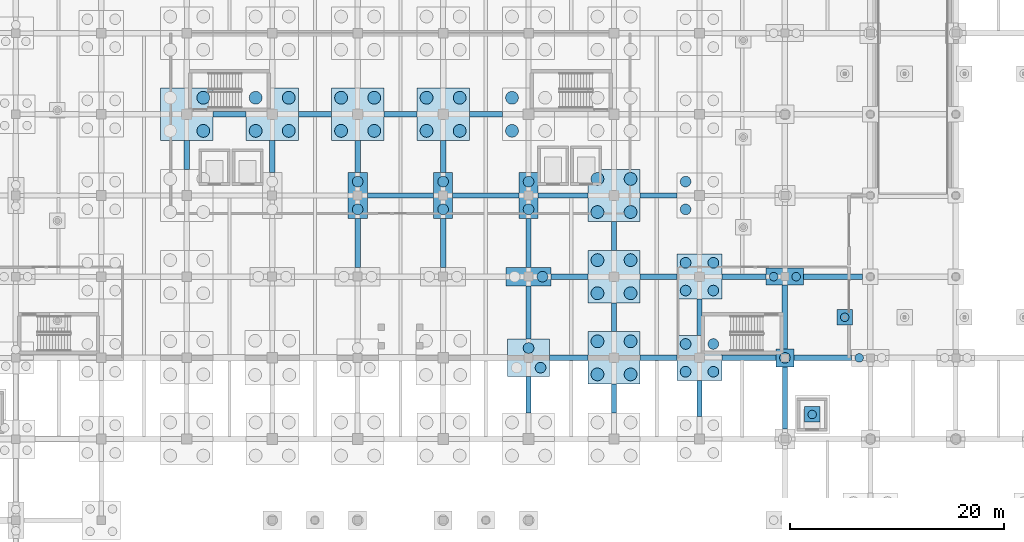
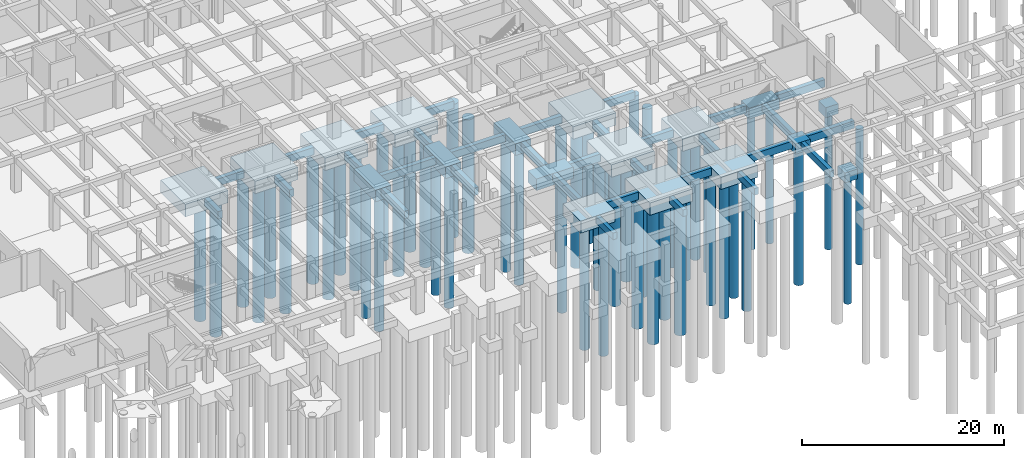
# One storey, part 6 of 49: 53 piles, 50 footings.
"""IFC4 building model written with IfcOpenShell, lengths in metres."""

from ifc_helpers import new_model, si_unit, direction, frame, origin, origin_2d, place, context, subcontext, project, spatial, rectangle, circle, extrude, material, layer, layer_set, material_profile, profile_set, type_object, element, save


model = new_model("IFC4")

# Units and contexts
model_context = context("Model", 3, precision=1e-05, world=origin(), true_north=direction((0.0, 1.0)))
body_context = subcontext(model_context, "Body", "Model", "MODEL_VIEW")
ifc_project = project(units=[si_unit("LENGTHUNIT", "METRE"), si_unit("AREAUNIT", "SQUARE_METRE"), si_unit("VOLUMEUNIT", "CUBIC_METRE"), si_unit("PLANEANGLEUNIT", "RADIAN"), si_unit("MASSUNIT", "GRAM", prefix="KILO")], contexts=[model_context])

# Site, building, storey
site_placement = place(None, origin())
site = spatial("IfcSite", under=ifc_project, at=site_placement, CompositionType="ELEMENT")
building_placement = place(site_placement, origin())
building = spatial("IfcBuilding", under=site, at=building_placement, Name="Zantavel Square City Hall", CompositionType="ELEMENT")
storey_placement = place(building_placement, frame((0.0, 0.0, -4.5)))
storey = spatial("IfcBuildingStorey", under=building, at=storey_placement, Name="B1", CompositionType="ELEMENT", Elevation=-4.5)

# Piles
ifc_material_1 = material(Name="Concrete C35/45", Category="concrete")
ifc_material_profile_1 = material_profile(ifc_material_1, circle(Radius=0.5, at=origin_2d()), Name="PILE D1000")
ifc_profile_set_1 = profile_set([ifc_material_profile_1], Name="Concrete C35/45")
pile_type_1 = type_object("IfcPileType", Name="Bored Pile D1000 Concrete C35/45", PredefinedType="BORED", material=ifc_profile_set_1)
for number, where, z_axis, x_axis, name in (
    (1, (80.0, 51.89990234375, -1.699951171875), (0.0, 0.0, -1.0), (1.0, 0.0, 0.0), "Bored Pile FDN-PL-0800-0532-1"),
    (2, (80.0, 54.5, -1.699951171875), (0.0, 0.0, -1.0), (1.0, 0.0, 0.0), "Bored Pile FDN-PL-0800-0532-2"),
    (3, (88.0, 51.89990234375, -1.699951171875), (0.0, 0.0, -1.0), (1.0, 0.0, 0.0), "Bored Pile FDN-PL-0880-0532-1"),
    (4, (88.0, 54.5, -1.699951171875), (0.0, 0.0, -1.0), (1.0, 0.0, 0.0), "Bored Pile FDN-PL-0880-0532-2"),
):
    element("IfcPile", number, at=place(storey_placement, frame(where, z_axis=z_axis, x_axis=x_axis)), inside=storey, type_object=pile_type_1, Name=name, PredefinedType="BORED", context=body_context, shape_type="SweptSolid", body=[
        extrude(circle(Radius=0.5, at=origin_2d()), origin(), (0.0, 0.0, 1.0), 16.300048828125),
    ])
for number, where, z_axis, x_axis, name in (
    (5, (97.1201171875, 37.080078125, -1.75), (0.0, 0.0, -1.0), (1.0, 0.0, 0.0), "Bored Pile FDN-PL-0960-0380-2"),
    (6, (96.0, 38.919921875, -1.75), (0.0, 0.0, -1.0), (1.0, 0.0, 0.0), "Bored Pile FDN-PL-0960-0380-3"),
):
    element("IfcPile", number, at=place(storey_placement, frame(where, z_axis=z_axis, x_axis=x_axis)), inside=storey, type_object=pile_type_1, Name=name, PredefinedType="BORED", context=body_context, shape_type="SweptSolid", body=[
        extrude(circle(Radius=0.5, at=origin_2d()), origin(), (0.0, 0.0, 1.0), 16.25),
    ])
for number, where, z_axis, x_axis, name in (
    (7, (97.300048828125, 45.60009765625, -1.699951171875), (0.0, 0.0, -1.0), (1.0, 0.0, 0.0), "Bored Pile FDN-PL-0960-0456-2"),
    (8, (96.0, 51.89990234375, -1.699951171875), (0.0, 0.0, -1.0), (1.0, 0.0, 0.0), "Bored Pile FDN-PL-0960-0532-1"),
    (9, (96.0, 54.5, -1.699951171875), (0.0, 0.0, -1.0), (1.0, 0.0, 0.0), "Bored Pile FDN-PL-0960-0532-2"),
):
    element("IfcPile", number, at=place(storey_placement, frame(where, z_axis=z_axis, x_axis=x_axis)), inside=storey, type_object=pile_type_1, Name=name, PredefinedType="BORED", context=body_context, shape_type="SweptSolid", body=[
        extrude(circle(Radius=0.5, at=origin_2d()), origin(), (0.0, 0.0, 1.0), 16.300048828125),
    ])
for number, where, z_axis, x_axis, name in (
    (10, (110.699951171875, 36.699951171875, -1.800048828125), (0.0, 0.0, -1.0), (1.0, 0.0, 0.0), "Bored Pile FDN-PL-1120-0380-1"),
    (11, (113.300048828125, 36.699951171875, -1.800048828125), (0.0, 0.0, -1.0), (1.0, 0.0, 0.0), "Bored Pile FDN-PL-1120-0380-2"),
    (12, (110.699951171875, 39.300048828125, -1.800048828125), (0.0, 0.0, -1.0), (1.0, 0.0, 0.0), "Bored Pile FDN-PL-1120-0380-3"),
    (13, (113.300048828125, 39.300048828125, -1.800048828125), (0.0, 0.0, -1.0), (1.0, 0.0, 0.0), "Bored Pile FDN-PL-1120-0380-4"),
    (14, (110.699951171875, 44.300048828125, -1.800048828125), (0.0, 0.0, -1.0), (1.0, 0.0, 0.0), "Bored Pile FDN-PL-1120-0456-1"),
    (15, (113.300048828125, 44.300048828125, -1.800048828125), (0.0, 0.0, -1.0), (1.0, 0.0, 0.0), "Bored Pile FDN-PL-1120-0456-2"),
    (16, (110.699951171875, 46.89990234375, -1.800048828125), (0.0, 0.0, -1.0), (1.0, 0.0, 0.0), "Bored Pile FDN-PL-1120-0456-3"),
    (17, (113.300048828125, 46.89990234375, -1.800048828125), (0.0, 0.0, -1.0), (1.0, 0.0, 0.0), "Bored Pile FDN-PL-1120-0456-4"),
    (18, (110.699951171875, 51.89990234375, -1.800048828125), (0.0, 0.0, -1.0), (1.0, 0.0, 0.0), "Bored Pile FDN-PL-1120-0532-1"),
    (19, (110.699951171875, 54.5, -1.800048828125), (0.0, 0.0, -1.0), (1.0, 0.0, 0.0), "Bored Pile FDN-PL-1120-0532-3"),
):
    element("IfcPile", number, at=place(storey_placement, frame(where, z_axis=z_axis, x_axis=x_axis)), inside=storey, type_object=pile_type_1, Name=name, PredefinedType="BORED", context=body_context, shape_type="SweptSolid", body=[
        extrude(circle(Radius=0.5, at=origin_2d()), origin(), (0.0, 0.0, 1.0), 16.199951171875),
    ])
pile_1_placement = place(storey_placement, frame((120.0, 38.0, -1.550048828125), z_axis=(0.0, 0.0, -1.0), x_axis=(1.0, 0.0, 0.0)))
element("IfcPile", 20, at=pile_1_placement, inside=storey, type_object=pile_type_1, Name="Bored Pile FDN-PL-1200-0380-1", PredefinedType="BORED", context=body_context, shape_type="SweptSolid", body=[
    extrude(circle(Radius=0.5, at=origin_2d()), origin(), (0.0, 0.0, 1.0), 16.449951171875),
])
ifc_material_profile_2 = material_profile(ifc_material_1, circle(Radius=0.60009765625, at=origin_2d()), Name="PILE D1200")
ifc_profile_set_2 = profile_set([ifc_material_profile_2], Name="Concrete C35/45")
pile_type_2 = type_object("IfcPileType", Name="Bored Pile D1200 Concrete C35/45", PredefinedType="BORED", material=ifc_profile_set_2)
for number, where, z_axis, x_axis, name in (
    (21, (65.550048828125, 59.25, -1.800048828125), (0.0, 0.0, -1.0), (1.0, 0.0, 0.0), "Bored Pile FDN-PL-0640-0608-2"),
    (22, (65.550048828125, 62.35009765625, -1.800048828125), (0.0, 0.0, -1.0), (1.0, 0.0, 0.0), "Bored Pile FDN-PL-0640-0608-4"),
    (23, (70.449951171875, 59.25, -1.800048828125), (0.0, 0.0, -1.0), (1.0, 0.0, 0.0), "Bored Pile FDN-PL-0720-0608-1"),
    (24, (73.550048828125, 59.25, -1.800048828125), (0.0, 0.0, -1.0), (1.0, 0.0, 0.0), "Bored Pile FDN-PL-0720-0608-2"),
    (25, (70.449951171875, 62.35009765625, -1.800048828125), (0.0, 0.0, -1.0), (1.0, 0.0, 0.0), "Bored Pile FDN-PL-0720-0608-3"),
    (26, (73.550048828125, 62.35009765625, -1.800048828125), (0.0, 0.0, -1.0), (1.0, 0.0, 0.0), "Bored Pile FDN-PL-0720-0608-4"),
    (27, (78.449951171875, 59.25, -1.800048828125), (0.0, 0.0, -1.0), (1.0, 0.0, 0.0), "Bored Pile FDN-PL-0800-0608-1"),
    (28, (81.550048828125, 59.25, -1.800048828125), (0.0, 0.0, -1.0), (1.0, 0.0, 0.0), "Bored Pile FDN-PL-0800-0608-2"),
    (29, (78.449951171875, 62.35009765625, -1.800048828125), (0.0, 0.0, -1.0), (1.0, 0.0, 0.0), "Bored Pile FDN-PL-0800-0608-3"),
    (30, (81.550048828125, 62.35009765625, -1.800048828125), (0.0, 0.0, -1.0), (1.0, 0.0, 0.0), "Bored Pile FDN-PL-0800-0608-4"),
    (31, (86.449951171875, 59.25, -1.800048828125), (0.0, 0.0, -1.0), (1.0, 0.0, 0.0), "Bored Pile FDN-PL-0880-0608-1"),
    (32, (89.550048828125, 59.25, -1.800048828125), (0.0, 0.0, -1.0), (1.0, 0.0, 0.0), "Bored Pile FDN-PL-0880-0608-2"),
    (33, (86.449951171875, 62.35009765625, -1.800048828125), (0.0, 0.0, -1.0), (1.0, 0.0, 0.0), "Bored Pile FDN-PL-0880-0608-3"),
    (34, (89.550048828125, 62.35009765625, -1.800048828125), (0.0, 0.0, -1.0), (1.0, 0.0, 0.0), "Bored Pile FDN-PL-0880-0608-4"),
    (35, (94.449951171875, 59.25, -1.800048828125), (0.0, 0.0, -1.0), (1.0, 0.0, 0.0), "Bored Pile FDN-PL-0960-0608-1"),
    (36, (94.449951171875, 62.35009765625, -1.800048828125), (0.0, 0.0, -1.0), (1.0, 0.0, 0.0), "Bored Pile FDN-PL-0960-0608-3"),
    (37, (102.449951171875, 36.449951171875, -1.800048828125), (0.0, 0.0, -1.0), (1.0, 0.0, 0.0), "Bored Pile FDN-PL-1040-0380-1"),
    (38, (105.550048828125, 36.449951171875, -1.800048828125), (0.0, 0.0, -1.0), (1.0, 0.0, 0.0), "Bored Pile FDN-PL-1040-0380-2"),
    (39, (102.449951171875, 39.550048828125, -1.800048828125), (0.0, 0.0, -1.0), (1.0, 0.0, 0.0), "Bored Pile FDN-PL-1040-0380-3"),
    (40, (105.550048828125, 39.550048828125, -1.800048828125), (0.0, 0.0, -1.0), (1.0, 0.0, 0.0), "Bored Pile FDN-PL-1040-0380-4"),
    (41, (102.449951171875, 44.050048828125, -1.800048828125), (0.0, 0.0, -1.0), (1.0, 0.0, 0.0), "Bored Pile FDN-PL-1040-0456-1"),
    (42, (105.550048828125, 44.050048828125, -1.800048828125), (0.0, 0.0, -1.0), (1.0, 0.0, 0.0), "Bored Pile FDN-PL-1040-0456-2"),
    (43, (102.449951171875, 47.14990234375, -1.800048828125), (0.0, 0.0, -1.0), (1.0, 0.0, 0.0), "Bored Pile FDN-PL-1040-0456-3"),
    (44, (105.550048828125, 47.14990234375, -1.800048828125), (0.0, 0.0, -1.0), (1.0, 0.0, 0.0), "Bored Pile FDN-PL-1040-0456-4"),
    (45, (102.449951171875, 51.64990234375, -1.800048828125), (0.0, 0.0, -1.0), (1.0, 0.0, 0.0), "Bored Pile FDN-PL-1040-0532-1"),
    (46, (105.550048828125, 51.64990234375, -1.800048828125), (0.0, 0.0, -1.0), (1.0, 0.0, 0.0), "Bored Pile FDN-PL-1040-0532-2"),
    (47, (102.449951171875, 54.75, -1.800048828125), (0.0, 0.0, -1.0), (1.0, 0.0, 0.0), "Bored Pile FDN-PL-1040-0532-3"),
    (48, (105.550048828125, 54.75, -1.800048828125), (0.0, 0.0, -1.0), (1.0, 0.0, 0.0), "Bored Pile FDN-PL-1040-0532-4"),
):
    element("IfcPile", number, at=place(storey_placement, frame(where, z_axis=z_axis, x_axis=x_axis)), inside=storey, type_object=pile_type_2, Name=name, PredefinedType="BORED", context=body_context, shape_type="SweptSolid", body=[
        extrude(circle(Radius=0.60009765625, at=origin_2d()), origin(), (0.0, 0.0, 1.0), 16.199951171875),
    ])
ifc_material_profile_3 = material_profile(ifc_material_1, circle(Radius=0.39990234375, at=origin_2d()), Name="PILE D800")
ifc_profile_set_3 = profile_set([ifc_material_profile_3], Name="Concrete C35/45")
pile_type_3 = type_object("IfcPileType", Name="Bored Pile D800 Concrete C35/45", PredefinedType="BORED", material=ifc_profile_set_3)
for number, where, z_axis, x_axis, name in (
    (49, (118.949951171875, 45.60009765625, -1.60009765625), (0.0, 0.0, -1.0), (1.0, 0.0, 0.0), "Bored Pile FDN-PL-1200-0456-1"),
    (50, (121.050048828125, 45.60009765625, -1.60009765625), (0.0, 0.0, -1.0), (1.0, 0.0, 0.0), "Bored Pile FDN-PL-1200-0456-2"),
    (51, (126.949951171875, 38.0, -1.60009765625), (0.0, 0.0, -1.0), (1.0, 0.0, 0.0), "Bored Pile FDN-PL-1280-0380-1"),
):
    element("IfcPile", number, at=place(storey_placement, frame(where, z_axis=z_axis, x_axis=x_axis)), inside=storey, type_object=pile_type_3, Name=name, PredefinedType="BORED", context=body_context, shape_type="SweptSolid", body=[
        extrude(circle(Radius=0.39990234375, at=origin_2d()), origin(), (0.0, 0.0, 1.0), 16.39990234375),
    ])
pile_2_placement = place(storey_placement, frame((125.60009765625, 41.800048828125, -1.5), z_axis=(0.0, 0.0, -1.0), x_axis=(1.0, 0.0, 0.0)))
element("IfcPile", 52, at=pile_2_placement, inside=storey, type_object=pile_type_3, Name="Skylight Pier Bored Pile 1-S", PredefinedType="BORED", context=body_context, shape_type="SweptSolid", body=[
    extrude(circle(Radius=0.39990234375, at=origin_2d()), origin(), (0.0, 0.0, 1.0), 16.5),
])
pile_3_placement = place(storey_placement, frame((122.550048828125, 32.699951171875, -2.800048828125), z_axis=(0.0, 0.0, -1.0), x_axis=(1.0, 0.0, 0.0)))
element("IfcPile", 53, at=pile_3_placement, inside=storey, type_object=pile_type_3, Name="Lift LF07 Pit Bored Pile", PredefinedType="BORED", context=body_context, shape_type="SweptSolid", body=[
    extrude(circle(Radius=0.39990234375, at=origin_2d()), origin(), (0.0, 0.0, 1.0), 15.199951171875),
])

# Footings
ifc_material_profile_4 = material_profile(ifc_material_1, rectangle(XDim=0.449951171875, YDim=0.800048828125, at=origin_2d()), Name="RC 450x800")
ifc_profile_set_4 = profile_set([ifc_material_profile_4], Name="Concrete C35/45")
footing_type_1 = type_object("IfcFootingType", Name="Courtyard Grade Tie Beam 450x800 C35/45", PredefinedType="FOOTING_BEAM", material=ifc_profile_set_4)
footing_1_placement = place(storey_placement, frame((96.0, 32.85009765625, -0.800048828125), z_axis=(0.0, 1.0, 0.0), x_axis=(-1.0, 0.0, 0.0)))
element("IfcFooting", 54, at=footing_1_placement, inside=storey, type_object=footing_type_1, Name="Grade Tie Beam FDN-GTBY-0960-0304", PredefinedType="FOOTING_BEAM", context=body_context, shape_type="SweptSolid", body=[
    extrude(rectangle(XDim=0.449951171875, YDim=0.800048828125, at=origin_2d()), origin(), (0.0, 0.0, 1.0), 3.39990234375),
])
footing_2_placement = place(storey_placement, frame((104.0, 32.85009765625, -0.800048828125), z_axis=(0.0, 1.0, 0.0), x_axis=(-1.0, 0.0, 0.0)))
element("IfcFooting", 55, at=footing_2_placement, inside=storey, type_object=footing_type_1, Name="Grade Tie Beam FDN-GTBY-1040-0304", PredefinedType="FOOTING_BEAM", context=body_context, shape_type="SweptSolid", body=[
    extrude(rectangle(XDim=0.449951171875, YDim=0.800048828125, at=origin_2d()), origin(), (0.0, 0.0, 1.0), 2.699951171875),
])
footing_3_placement = place(storey_placement, frame((112.0, 32.5, -0.800048828125), z_axis=(0.0, 1.0, 0.0), x_axis=(-1.0, 0.0, 0.0)))
element("IfcFooting", 56, at=footing_3_placement, inside=storey, type_object=footing_type_1, Name="Grade Tie Beam FDN-GTBY-1120-0304", PredefinedType="FOOTING_BEAM", context=body_context, shape_type="SweptSolid", body=[
    extrude(rectangle(XDim=0.449951171875, YDim=0.800048828125, at=origin_2d()), origin(), (0.0, 0.0, 1.0), 3.39990234375),
])
footing_4_placement = place(storey_placement, frame((120.0, 31.35009765625, -0.800048828125), z_axis=(0.0, 1.0, 0.0), x_axis=(-1.0, 0.0, 0.0)))
element("IfcFooting", 57, at=footing_4_placement, inside=storey, type_object=footing_type_1, Name="Grade Tie Beam FDN-GTBY-1200-0304", PredefinedType="FOOTING_BEAM", context=body_context, shape_type="SweptSolid", body=[
    extrude(rectangle(XDim=0.449951171875, YDim=0.800048828125, at=origin_2d()), origin(), (0.0, 0.0, 1.0), 5.7998046875),
])
ifc_material_profile_5 = material_profile(ifc_material_1, rectangle(XDim=0.5, YDim=0.89990234375, at=origin_2d()), Name="RC 500x900")
ifc_profile_set_5 = profile_set([ifc_material_profile_5], Name="Concrete C35/45")
footing_type_2 = type_object("IfcFootingType", Name="Grade Tie Beam 500x900 Concrete C35/45", PredefinedType="FOOTING_BEAM", material=ifc_profile_set_5)
footing_5_placement = place(storey_placement, frame((64.0, 55.64990234375, -0.85009765625), z_axis=(0.0, 1.0, 0.0), x_axis=(-1.0, 0.0, 0.0)))
element("IfcFooting", 58, at=footing_5_placement, inside=storey, type_object=footing_type_2, Name="Grade Tie Beam FDN-GTBY-0640-0532", PredefinedType="FOOTING_BEAM", context=body_context, shape_type="SweptSolid", body=[
    extrude(rectangle(XDim=0.5, YDim=0.89990234375, at=origin_2d()), origin(), (0.0, 0.0, 1.0), 2.7001953125),
])
footing_6_placement = place(storey_placement, frame((66.449951171875, 60.800048828125, -0.85009765625), z_axis=(1.0, 0.0, 0.0), x_axis=(0.0, 1.0, 0.0)))
element("IfcFooting", 59, at=footing_6_placement, inside=storey, type_object=footing_type_2, Name="Grade Tie Beam FDN-GTBX-0640-0608", PredefinedType="FOOTING_BEAM", context=body_context, shape_type="SweptSolid", body=[
    extrude(rectangle(XDim=0.5, YDim=0.89990234375, at=origin_2d()), origin(), (0.0, 0.0, 1.0), 3.10009765625),
])
footing_7_placement = place(storey_placement, frame((72.0, 55.35009765625, -0.85009765625), z_axis=(0.0, 1.0, 0.0), x_axis=(-1.0, 0.0, 0.0)))
element("IfcFooting", 60, at=footing_7_placement, inside=storey, type_object=footing_type_2, Name="Grade Tie Beam FDN-GTBY-0720-0532", PredefinedType="FOOTING_BEAM", context=body_context, shape_type="SweptSolid", body=[
    extrude(rectangle(XDim=0.5, YDim=0.89990234375, at=origin_2d()), origin(), (0.0, 0.0, 1.0), 3.0),
])
footing_8_placement = place(storey_placement, frame((74.449951171875, 60.800048828125, -0.85009765625), z_axis=(1.0, 0.0, 0.0), x_axis=(0.0, 1.0, 0.0)))
element("IfcFooting", 61, at=footing_8_placement, inside=storey, type_object=footing_type_2, Name="Grade Tie Beam FDN-GTBX-0720-0608", PredefinedType="FOOTING_BEAM", context=body_context, shape_type="SweptSolid", body=[
    extrude(rectangle(XDim=0.5, YDim=0.89990234375, at=origin_2d()), origin(), (0.0, 0.0, 1.0), 3.10009765625),
])
footing_9_placement = place(storey_placement, frame((80.0, 46.449951171875, -0.85009765625), z_axis=(0.0, 1.0, 0.0), x_axis=(-1.0, 0.0, 0.0)))
element("IfcFooting", 62, at=footing_9_placement, inside=storey, type_object=footing_type_2, Name="Grade Tie Beam FDN-GTBY-0800-0456", PredefinedType="FOOTING_BEAM", context=body_context, shape_type="SweptSolid", body=[
    extrude(rectangle(XDim=0.5, YDim=0.89990234375, at=origin_2d()), origin(), (0.0, 0.0, 1.0), 4.60009765625),
])
footing_10_placement = place(storey_placement, frame((80.89990234375, 53.199951171875, -0.85009765625), z_axis=(1.0, 0.0, 0.0), x_axis=(0.0, 1.0, 0.0)))
element("IfcFooting", 63, at=footing_10_placement, inside=storey, type_object=footing_type_2, Name="Grade Tie Beam FDN-GTBX-0800-0532", PredefinedType="FOOTING_BEAM", context=body_context, shape_type="SweptSolid", body=[
    extrude(rectangle(XDim=0.5, YDim=0.89990234375, at=origin_2d()), origin(), (0.0, 0.0, 1.0), 6.2001953125),
])
footing_11_placement = place(storey_placement, frame((80.0, 55.35009765625, -0.85009765625), z_axis=(0.0, 1.0, 0.0), x_axis=(-1.0, 0.0, 0.0)))
element("IfcFooting", 64, at=footing_11_placement, inside=storey, type_object=footing_type_2, Name="Grade Tie Beam FDN-GTBY-0800-0532", PredefinedType="FOOTING_BEAM", context=body_context, shape_type="SweptSolid", body=[
    extrude(rectangle(XDim=0.5, YDim=0.89990234375, at=origin_2d()), origin(), (0.0, 0.0, 1.0), 3.0),
])
footing_12_placement = place(storey_placement, frame((82.449951171875, 60.800048828125, -0.85009765625), z_axis=(1.0, 0.0, 0.0), x_axis=(0.0, 1.0, 0.0)))
element("IfcFooting", 65, at=footing_12_placement, inside=storey, type_object=footing_type_2, Name="Grade Tie Beam FDN-GTBX-0800-0608", PredefinedType="FOOTING_BEAM", context=body_context, shape_type="SweptSolid", body=[
    extrude(rectangle(XDim=0.5, YDim=0.89990234375, at=origin_2d()), origin(), (0.0, 0.0, 1.0), 3.10009765625),
])
footing_13_placement = place(storey_placement, frame((88.0, 46.449951171875, -0.85009765625), z_axis=(0.0, 1.0, 0.0), x_axis=(-1.0, 0.0, 0.0)))
element("IfcFooting", 66, at=footing_13_placement, inside=storey, type_object=footing_type_2, Name="Grade Tie Beam FDN-GTBY-0880-0456", PredefinedType="FOOTING_BEAM", context=body_context, shape_type="SweptSolid", body=[
    extrude(rectangle(XDim=0.5, YDim=0.89990234375, at=origin_2d()), origin(), (0.0, 0.0, 1.0), 4.60009765625),
])
footing_14_placement = place(storey_placement, frame((88.89990234375, 53.199951171875, -0.85009765625), z_axis=(1.0, 0.0, 0.0), x_axis=(0.0, 1.0, 0.0)))
element("IfcFooting", 67, at=footing_14_placement, inside=storey, type_object=footing_type_2, Name="Grade Tie Beam FDN-GTBX-0880-0532", PredefinedType="FOOTING_BEAM", context=body_context, shape_type="SweptSolid", body=[
    extrude(rectangle(XDim=0.5, YDim=0.89990234375, at=origin_2d()), origin(), (0.0, 0.0, 1.0), 6.2001953125),
])
footing_15_placement = place(storey_placement, frame((88.0, 55.35009765625, -0.85009765625), z_axis=(0.0, 1.0, 0.0), x_axis=(-1.0, 0.0, 0.0)))
element("IfcFooting", 68, at=footing_15_placement, inside=storey, type_object=footing_type_2, Name="Grade Tie Beam FDN-GTBY-0880-0532", PredefinedType="FOOTING_BEAM", context=body_context, shape_type="SweptSolid", body=[
    extrude(rectangle(XDim=0.5, YDim=0.89990234375, at=origin_2d()), origin(), (0.0, 0.0, 1.0), 3.0),
])
footing_16_placement = place(storey_placement, frame((90.449951171875, 60.800048828125, -0.85009765625), z_axis=(1.0, 0.0, 0.0), x_axis=(0.0, 1.0, 0.0)))
element("IfcFooting", 69, at=footing_16_placement, inside=storey, type_object=footing_type_2, Name="Grade Tie Beam FDN-GTBX-0880-0608", PredefinedType="FOOTING_BEAM", context=body_context, shape_type="SweptSolid", body=[
    extrude(rectangle(XDim=0.5, YDim=0.89990234375, at=origin_2d()), origin(), (0.0, 0.0, 1.0), 3.10009765625),
])
footing_17_placement = place(storey_placement, frame((97.949951171875, 38.0, -0.85009765625), z_axis=(1.0, 0.0, 0.0), x_axis=(0.0, 1.0, 0.0)))
element("IfcFooting", 70, at=footing_17_placement, inside=storey, type_object=footing_type_2, Name="Grade Tie Beam FDN-GTBX-0960-0380", PredefinedType="FOOTING_BEAM", context=body_context, shape_type="SweptSolid", body=[
    extrude(rectangle(XDim=0.5, YDim=0.89990234375, at=origin_2d()), origin(), (0.0, 0.0, 1.0), 3.60009765625),
])
footing_18_placement = place(storey_placement, frame((96.0, 39.75, -0.85009765625), z_axis=(0.0, 1.0, 0.0), x_axis=(-1.0, 0.0, 0.0)))
element("IfcFooting", 71, at=footing_18_placement, inside=storey, type_object=footing_type_2, Name="Grade Tie Beam FDN-GTBY-0960-0380", PredefinedType="FOOTING_BEAM", context=body_context, shape_type="SweptSolid", body=[
    extrude(rectangle(XDim=0.5, YDim=0.89990234375, at=origin_2d()), origin(), (0.0, 0.0, 1.0), 5.0),
])
footing_19_placement = place(storey_placement, frame((98.10009765625, 45.60009765625, -0.85009765625), z_axis=(1.0, 0.0, 0.0), x_axis=(0.0, 1.0, 0.0)))
element("IfcFooting", 72, at=footing_19_placement, inside=storey, type_object=footing_type_2, Name="Grade Tie Beam FDN-GTBX-0960-0456", PredefinedType="FOOTING_BEAM", context=body_context, shape_type="SweptSolid", body=[
    extrude(rectangle(XDim=0.5, YDim=0.89990234375, at=origin_2d()), origin(), (0.0, 0.0, 1.0), 3.449951171875),
])
footing_20_placement = place(storey_placement, frame((96.0, 46.449951171875, -0.85009765625), z_axis=(0.0, 1.0, 0.0), x_axis=(-1.0, 0.0, 0.0)))
element("IfcFooting", 73, at=footing_20_placement, inside=storey, type_object=footing_type_2, Name="Grade Tie Beam FDN-GTBY-0960-0456", PredefinedType="FOOTING_BEAM", context=body_context, shape_type="SweptSolid", body=[
    extrude(rectangle(XDim=0.5, YDim=0.89990234375, at=origin_2d()), origin(), (0.0, 0.0, 1.0), 4.60009765625),
])
footing_21_placement = place(storey_placement, frame((96.89990234375, 53.199951171875, -0.85009765625), z_axis=(1.0, 0.0, 0.0), x_axis=(0.0, 1.0, 0.0)))
element("IfcFooting", 74, at=footing_21_placement, inside=storey, type_object=footing_type_2, Name="Grade Tie Beam FDN-GTBX-0960-0532", PredefinedType="FOOTING_BEAM", context=body_context, shape_type="SweptSolid", body=[
    extrude(rectangle(XDim=0.5, YDim=0.89990234375, at=origin_2d()), origin(), (0.0, 0.0, 1.0), 4.650146484375),
])
footing_22_placement = place(storey_placement, frame((106.449951171875, 38.0, -0.85009765625), z_axis=(1.0, 0.0, 0.0), x_axis=(0.0, 1.0, 0.0)))
element("IfcFooting", 75, at=footing_22_placement, inside=storey, type_object=footing_type_2, Name="Grade Tie Beam FDN-GTBX-1040-0380", PredefinedType="FOOTING_BEAM", context=body_context, shape_type="SweptSolid", body=[
    extrude(rectangle(XDim=0.5, YDim=0.89990234375, at=origin_2d()), origin(), (0.0, 0.0, 1.0), 3.449951171875),
])
footing_23_placement = place(storey_placement, frame((104.0, 40.449951171875, -0.85009765625), z_axis=(0.0, 1.0, 0.0), x_axis=(-1.0, 0.0, 0.0)))
element("IfcFooting", 76, at=footing_23_placement, inside=storey, type_object=footing_type_2, Name="Grade Tie Beam FDN-GTBY-1040-0380", PredefinedType="FOOTING_BEAM", context=body_context, shape_type="SweptSolid", body=[
    extrude(rectangle(XDim=0.5, YDim=0.89990234375, at=origin_2d()), origin(), (0.0, 0.0, 1.0), 2.699951171875),
])
footing_24_placement = place(storey_placement, frame((106.449951171875, 45.60009765625, -0.85009765625), z_axis=(1.0, 0.0, 0.0), x_axis=(0.0, 1.0, 0.0)))
element("IfcFooting", 77, at=footing_24_placement, inside=storey, type_object=footing_type_2, Name="Grade Tie Beam FDN-GTBX-1040-0456", PredefinedType="FOOTING_BEAM", context=body_context, shape_type="SweptSolid", body=[
    extrude(rectangle(XDim=0.5, YDim=0.89990234375, at=origin_2d()), origin(), (0.0, 0.0, 1.0), 3.449951171875),
])
footing_25_placement = place(storey_placement, frame((104.0, 48.050048828125, -0.85009765625), z_axis=(0.0, 1.0, 0.0), x_axis=(-1.0, 0.0, 0.0)))
element("IfcFooting", 78, at=footing_25_placement, inside=storey, type_object=footing_type_2, Name="Grade Tie Beam FDN-GTBY-1040-0456", PredefinedType="FOOTING_BEAM", context=body_context, shape_type="SweptSolid", body=[
    extrude(rectangle(XDim=0.5, YDim=0.89990234375, at=origin_2d()), origin(), (0.0, 0.0, 1.0), 2.699951171875),
])
footing_26_placement = place(storey_placement, frame((106.449951171875, 53.199951171875, -0.85009765625), z_axis=(1.0, 0.0, 0.0), x_axis=(0.0, 1.0, 0.0)))
element("IfcFooting", 79, at=footing_26_placement, inside=storey, type_object=footing_type_2, Name="Grade Tie Beam FDN-GTBX-1040-0532", PredefinedType="FOOTING_BEAM", context=body_context, shape_type="SweptSolid", body=[
    extrude(rectangle(XDim=0.5, YDim=0.89990234375, at=origin_2d()), origin(), (0.0, 0.0, 1.0), 3.449951171875),
])
footing_27_placement = place(storey_placement, frame((114.10009765625, 38.0, -0.85009765625), z_axis=(1.0, 0.0, 0.0), x_axis=(0.0, 1.0, 0.0)))
element("IfcFooting", 80, at=footing_27_placement, inside=storey, type_object=footing_type_2, Name="Grade Tie Beam FDN-GTBX-1120-0380", PredefinedType="FOOTING_BEAM", context=body_context, shape_type="SweptSolid", body=[
    extrude(rectangle(XDim=0.5, YDim=0.89990234375, at=origin_2d()), origin(), (0.0, 0.0, 1.0), 5.0498046875),
])
footing_28_placement = place(storey_placement, frame((112.0, 40.10009765625, -0.85009765625), z_axis=(0.0, 1.0, 0.0), x_axis=(-1.0, 0.0, 0.0)))
element("IfcFooting", 81, at=footing_28_placement, inside=storey, type_object=footing_type_2, Name="Grade Tie Beam FDN-GTBY-1120-0380", PredefinedType="FOOTING_BEAM", context=body_context, shape_type="SweptSolid", body=[
    extrude(rectangle(XDim=0.5, YDim=0.89990234375, at=origin_2d()), origin(), (0.0, 0.0, 1.0), 3.39990234375),
])
footing_29_placement = place(storey_placement, frame((114.10009765625, 45.60009765625, -0.85009765625), z_axis=(1.0, 0.0, 0.0), x_axis=(0.0, 1.0, 0.0)))
element("IfcFooting", 82, at=footing_29_placement, inside=storey, type_object=footing_type_2, Name="Grade Tie Beam FDN-GTBX-1120-0456", PredefinedType="FOOTING_BEAM", context=body_context, shape_type="SweptSolid", body=[
    extrude(rectangle(XDim=0.5, YDim=0.89990234375, at=origin_2d()), origin(), (0.0, 0.0, 1.0), 4.14990234375),
])
footing_30_placement = place(storey_placement, frame((120.85009765625, 38.0, -0.85009765625), z_axis=(1.0, 0.0, 0.0), x_axis=(0.0, 1.0, 0.0)))
element("IfcFooting", 83, at=footing_30_placement, inside=storey, type_object=footing_type_2, Name="Grade Tie Beam FDN-GTBX-1200-0380", PredefinedType="FOOTING_BEAM", context=body_context, shape_type="SweptSolid", body=[
    extrude(rectangle(XDim=0.5, YDim=0.89990234375, at=origin_2d()), origin(), (0.0, 0.0, 1.0), 5.39990234375),
])
footing_31_placement = place(storey_placement, frame((120.0, 38.85009765625, -0.85009765625), z_axis=(0.0, 1.0, 0.0), x_axis=(-1.0, 0.0, 0.0)))
element("IfcFooting", 84, at=footing_31_placement, inside=storey, type_object=footing_type_2, Name="Grade Tie Beam FDN-GTBY-1200-0380", PredefinedType="FOOTING_BEAM", context=body_context, shape_type="SweptSolid", body=[
    extrude(rectangle(XDim=0.5, YDim=0.89990234375, at=origin_2d()), origin(), (0.0, 0.0, 1.0), 5.949951171875),
])
footing_32_placement = place(storey_placement, frame((121.75, 45.60009765625, -0.85009765625), z_axis=(1.0, 0.0, 0.0), x_axis=(0.0, 1.0, 0.0)))
element("IfcFooting", 85, at=footing_32_placement, inside=storey, type_object=footing_type_2, Name="Grade Tie Beam FDN-GTBX-1200-0456", PredefinedType="FOOTING_BEAM", context=body_context, shape_type="SweptSolid", body=[
    extrude(rectangle(XDim=0.5, YDim=0.89990234375, at=origin_2d()), origin(), (0.0, 0.0, 1.0), 5.52490234375),
])
ifc_material_2 = material(Name="Concrete C40/50", Category="concrete")
ifc_layer_1 = layer(ifc_material_2, 1.25, Name="Concrete C40/50")
ifc_layer_set_1 = layer_set([ifc_layer_1], Name="Concrete C40/50")
footing_type_3 = type_object("IfcFootingType", Name="Pile Cap 1P-D1000 1700x1700x1250", PredefinedType="PILE_CAP", material=ifc_layer_set_1)
footing_33_placement = place(storey_placement, frame((120.0, 38.0, -1.64990234375), z_axis=(0.0, 0.0, 1.0), x_axis=(1.0, 0.0, 0.0)))
element("IfcFooting", 86, at=footing_33_placement, inside=storey, type_object=footing_type_3, Name="Pile Cap FDN-PC-1200-0380", PredefinedType="PILE_CAP", context=body_context, shape_type="SweptSolid", body=[
    extrude(rectangle(XDim=1.699951171875, YDim=1.699951171875, at=origin_2d()), origin(), (0.0, 0.0, 1.0), 1.25),
])
ifc_layer_2 = layer(ifc_material_2, 1.199951171875, Name="Concrete C40/50")
ifc_layer_set_2 = layer_set([ifc_layer_2], Name="Concrete C40/50")
footing_type_4 = type_object("IfcFootingType", Name="Pile Cap 1P-D800 1450x1450x1200", PredefinedType="PILE_CAP", material=ifc_layer_set_2)
for number, where, z_axis, x_axis, name in (
    (87, (125.60009765625, 41.800048828125, -1.60009765625), (0.0, 0.0, 1.0), (1.0, 0.0, 0.0), "Skylight Pier Pile Cap 1-S"),
    (88, (122.550048828125, 32.699951171875, -2.89990234375), (0.0, 0.0, 1.0), (1.0, 0.0, 0.0), "Lift LF07 Pit Pile Cap"),
):
    element("IfcFooting", number, at=place(storey_placement, frame(where, z_axis=z_axis, x_axis=x_axis)), inside=storey, type_object=footing_type_4, Name=name, PredefinedType="PILE_CAP", context=body_context, shape_type="SweptSolid", body=[
        extrude(rectangle(XDim=1.449951171875, YDim=1.449951171875, at=origin_2d()), origin(), (0.0, 0.0, 1.0), 1.199951171875),
    ])
ifc_layer_3 = layer(ifc_material_2, 1.39990234375, Name="Concrete C40/50")
ifc_layer_set_3 = layer_set([ifc_layer_3], Name="Concrete C40/50")
footing_type_5 = type_object("IfcFootingType", Name="Pile Cap 2P-D1000X 4200x1700x1400", PredefinedType="PILE_CAP", material=ifc_layer_set_3)
footing_34_placement = place(storey_placement, frame((96.0, 45.60009765625, -1.800048828125), z_axis=(0.0, 0.0, 1.0), x_axis=(1.0, 0.0, 0.0)))
element("IfcFooting", 89, at=footing_34_placement, inside=storey, type_object=footing_type_5, Name="Pile Cap FDN-PC-0960-0456", PredefinedType="PILE_CAP", context=body_context, shape_type="SweptSolid", body=[
    extrude(rectangle(XDim=4.199951171875, YDim=1.699951171875, at=origin_2d()), origin(), (0.0, 0.0, 1.0), 1.39990234375),
])
ifc_layer_4 = layer(ifc_material_2, 1.39990234375, Name="Concrete C40/50")
ifc_layer_set_4 = layer_set([ifc_layer_4], Name="Concrete C40/50")
footing_type_6 = type_object("IfcFootingType", Name="Pile Cap 2P-D1000Y 1800x4300x1400", PredefinedType="PILE_CAP", material=ifc_layer_set_4)
for number, where, z_axis, x_axis, name in (
    (90, (80.0, 53.199951171875, -1.800048828125), (0.0, 0.0, 1.0), (1.0, 0.0, 0.0), "Pile Cap FDN-PC-0800-0532"),
    (91, (88.0, 53.199951171875, -1.800048828125), (0.0, 0.0, 1.0), (1.0, 0.0, 0.0), "Pile Cap FDN-PC-0880-0532"),
    (92, (96.0, 53.199951171875, -1.800048828125), (0.0, 0.0, 1.0), (1.0, 0.0, 0.0), "Pile Cap FDN-PC-0960-0532"),
):
    element("IfcFooting", number, at=place(storey_placement, frame(where, z_axis=z_axis, x_axis=x_axis)), inside=storey, type_object=footing_type_6, Name=name, PredefinedType="PILE_CAP", context=body_context, shape_type="SweptSolid", body=[
        extrude(rectangle(XDim=1.800048828125, YDim=4.300048828125, at=origin_2d()), origin(), (0.0, 0.0, 1.0), 1.39990234375),
    ])
ifc_layer_5 = layer(ifc_material_2, 1.300048828125, Name="Concrete C40/50")
ifc_layer_set_5 = layer_set([ifc_layer_5], Name="Concrete C40/50")
footing_type_7 = type_object("IfcFootingType", Name="Pile Cap 2P-D800C 3500x1600x1300", PredefinedType="PILE_CAP", material=ifc_layer_set_5)
footing_35_placement = place(storey_placement, frame((120.0, 45.60009765625, -1.7001953125), z_axis=(0.0, 0.0, 1.0), x_axis=(1.0, 0.0, 0.0)))
element("IfcFooting", 93, at=footing_35_placement, inside=storey, type_object=footing_type_7, Name="Pile Cap FDN-PC-1200-0456", PredefinedType="PILE_CAP", context=body_context, shape_type="SweptSolid", body=[
    extrude(rectangle(XDim=3.5, YDim=1.60009765625, at=origin_2d()), origin(), (0.0, 0.0, 1.0), 1.300048828125),
])
ifc_layer_6 = layer(ifc_material_2, 1.449951171875, Name="Concrete C40/50")
ifc_layer_set_6 = layer_set([ifc_layer_6], Name="Concrete C40/50")
footing_type_8 = type_object("IfcFootingType", Name="Pile Cap 3P-D1000 3900x3500x1450", PredefinedType="PILE_CAP", material=ifc_layer_set_6)
footing_36_placement = place(storey_placement, frame((96.0, 38.0, -1.85009765625), z_axis=(0.0, 0.0, 1.0), x_axis=(1.0, 0.0, 0.0)))
element("IfcFooting", 94, at=footing_36_placement, inside=storey, type_object=footing_type_8, Name="Pile Cap FDN-PC-0960-0380", PredefinedType="PILE_CAP", context=body_context, shape_type="SweptSolid", body=[
    extrude(rectangle(XDim=3.89990234375, YDim=3.5, at=origin_2d()), origin(), (0.0, 0.0, 1.0), 1.449951171875),
])
ifc_layer_7 = layer(ifc_material_2, 1.5, Name="Concrete C40/50")
ifc_layer_set_7 = layer_set([ifc_layer_7], Name="Concrete C40/50")
footing_type_9 = type_object("IfcFootingType", Name="Pile Cap 4P-D1000 4200x4200x1500", PredefinedType="PILE_CAP", material=ifc_layer_set_7)
for number, where, z_axis, x_axis, name in (
    (95, (112.0, 38.0, -1.89990234375), (0.0, 0.0, 1.0), (1.0, 0.0, 0.0), "Pile Cap FDN-PC-1120-0380"),
    (96, (112.0, 45.60009765625, -1.89990234375), (0.0, 0.0, 1.0), (1.0, 0.0, 0.0), "Pile Cap FDN-PC-1120-0456"),
):
    element("IfcFooting", number, at=place(storey_placement, frame(where, z_axis=z_axis, x_axis=x_axis)), inside=storey, type_object=footing_type_9, Name=name, PredefinedType="PILE_CAP", context=body_context, shape_type="SweptSolid", body=[
        extrude(rectangle(XDim=4.199951171875, YDim=4.199951171875, at=origin_2d()), origin(), (0.0, 0.0, 1.0), 1.5),
    ])
ifc_layer_8 = layer(ifc_material_2, 1.5, Name="Concrete C40/50")
ifc_layer_set_8 = layer_set([ifc_layer_8], Name="Concrete C40/50")
footing_type_10 = type_object("IfcFootingType", Name="Pile Cap 4P-D1200 4900x4900x1500", PredefinedType="PILE_CAP", material=ifc_layer_set_8)
for number, where, z_axis, x_axis, name in (
    (97, (64.0, 60.800048828125, -1.89990234375), (0.0, 0.0, 1.0), (1.0, 0.0, 0.0), "Pile Cap FDN-PC-0640-0608"),
    (98, (72.0, 60.800048828125, -1.89990234375), (0.0, 0.0, 1.0), (1.0, 0.0, 0.0), "Pile Cap FDN-PC-0720-0608"),
    (99, (80.0, 60.800048828125, -1.89990234375), (0.0, 0.0, 1.0), (1.0, 0.0, 0.0), "Pile Cap FDN-PC-0800-0608"),
    (100, (88.0, 60.800048828125, -1.89990234375), (0.0, 0.0, 1.0), (1.0, 0.0, 0.0), "Pile Cap FDN-PC-0880-0608"),
    (101, (104.0, 38.0, -1.89990234375), (0.0, 0.0, 1.0), (1.0, 0.0, 0.0), "Pile Cap FDN-PC-1040-0380"),
    (102, (104.0, 45.60009765625, -1.89990234375), (0.0, 0.0, 1.0), (1.0, 0.0, 0.0), "Pile Cap FDN-PC-1040-0456"),
    (103, (104.0, 53.199951171875, -1.89990234375), (0.0, 0.0, 1.0), (1.0, 0.0, 0.0), "Pile Cap FDN-PC-1040-0532"),
):
    element("IfcFooting", number, at=place(storey_placement, frame(where, z_axis=z_axis, x_axis=x_axis)), inside=storey, type_object=footing_type_10, Name=name, PredefinedType="PILE_CAP", context=body_context, shape_type="SweptSolid", body=[
        extrude(rectangle(XDim=4.89990234375, YDim=4.89990234375, at=origin_2d()), origin(), (0.0, 0.0, 1.0), 1.5),
    ])

save(model, "model.ifc")
